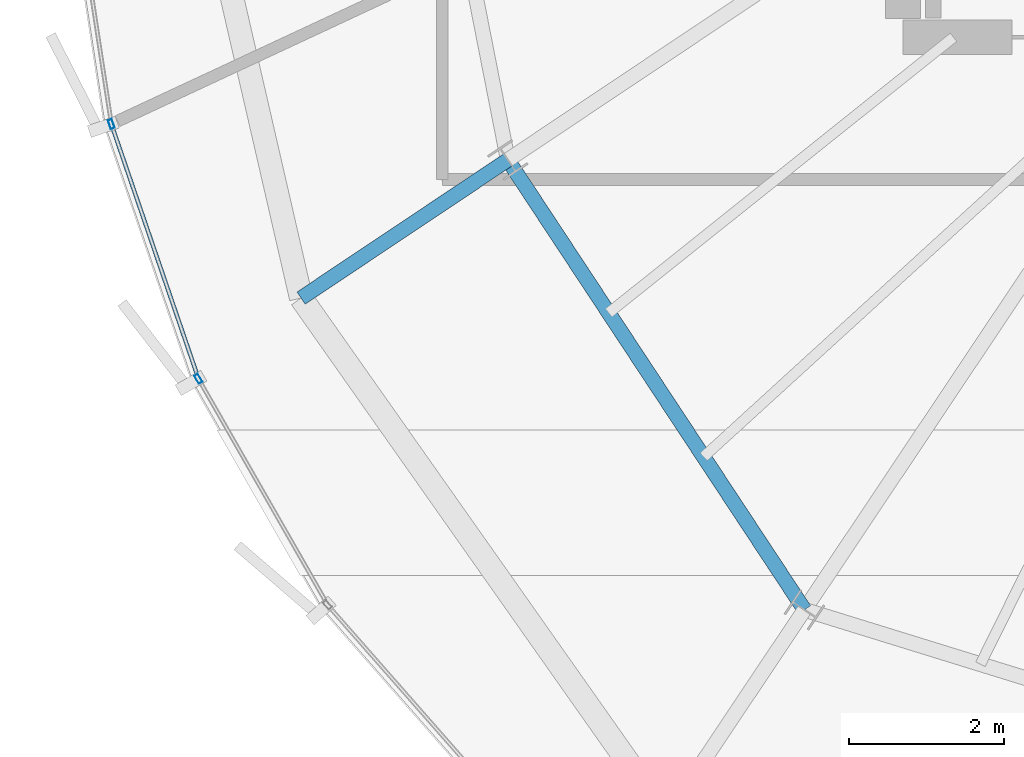
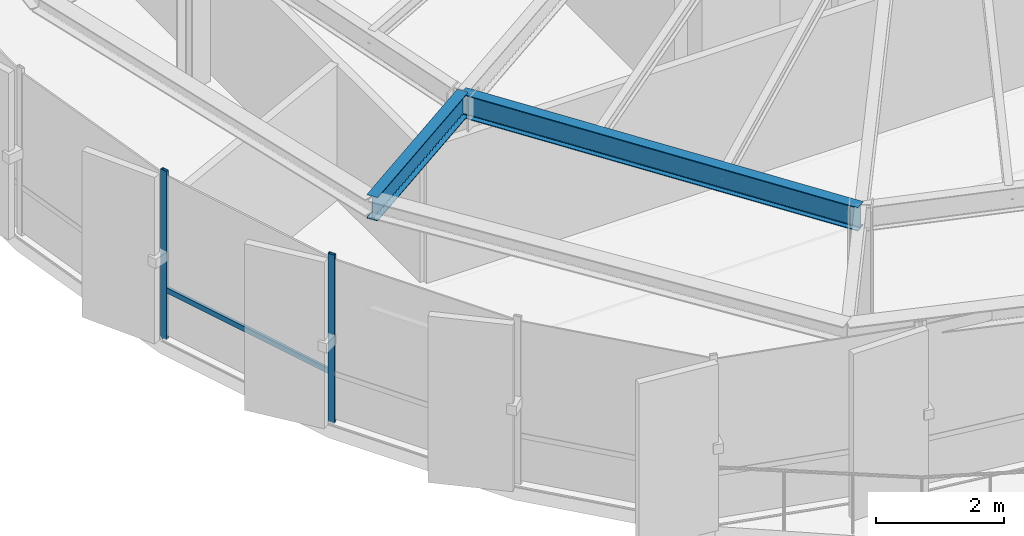
# One storey, part 4 of 32: 3 members, 2 beams, 1 element without a shape of its own.
"""IFC4 building model written with IfcOpenShell, lengths in metres."""

from ifc_helpers import new_model, si_unit, direction, frame, origin, origin_2d, place, context, subcontext, project, spatial, hollow_rectangle, i_section, extrude, source, transform, mapped, material, layer, layer_set, material_profile, profile_set, type_object, element, aggregate, save


model = new_model("IFC4")

# Units and contexts
model_context = context("Model", 3, precision=1e-05, world=origin(), true_north=direction((0.0, 1.0)))
body_context = subcontext(model_context, "Body", "Model", "MODEL_VIEW")
ifc_project = project(units=[si_unit("LENGTHUNIT", "METRE"), si_unit("AREAUNIT", "SQUARE_METRE"), si_unit("VOLUMEUNIT", "CUBIC_METRE"), si_unit("PLANEANGLEUNIT", "RADIAN"), si_unit("MASSUNIT", "GRAM", prefix="KILO"), si_unit("THERMODYNAMICTEMPERATUREUNIT", "KELVIN")], contexts=[model_context])

# Site, building, storey
site_placement = place(None, origin())
site = spatial("IfcSite", under=ifc_project, at=site_placement, CompositionType="ELEMENT")
building_placement = place(site_placement, origin())
building = spatial("IfcBuilding", under=site, at=building_placement, Name="Kethvar Cultural Tower", CompositionType="ELEMENT")
storey_placement = place(building_placement, frame((0.0, 0.0, 273.25)))
storey = spatial("IfcBuildingStorey", under=building, at=storey_placement, Name="L72", CompositionType="ELEMENT", Elevation=273.25)

# Beams
ifc_material_1 = material(Name="Steel S355J2", Category="steel")
ifc_material_profile_1 = material_profile(ifc_material_1, i_section(OverallWidth=0.18994140625, OverallDepth=0.449951171875, WebThickness=0.009521484375, FlangeThickness=0.0146484375, FilletRadius=0.02099609375, at=origin_2d()), Name="Steel S355J2 — IPE450")
ifc_profile_set_1 = profile_set([ifc_material_profile_1], Name="Steel S355J2 — IPE450")
beam_type = type_object("IfcBeamType", Name="BM-IPE450", PredefinedType="BEAM", material=ifc_profile_set_1)
shared_shape_1 = source(origin(), body_context, "Body", "SweptSolid", [
    extrude(i_section(OverallWidth=0.18994140625, OverallDepth=0.449951171875, WebThickness=0.009521484375, FlangeThickness=0.0146484375, FilletRadius=0.02099609375, at=origin_2d()), origin(), (0.0, 0.0, 1.0), 3.199951171875),
])
beam_1_placement = place(storey_placement, frame((32.912841796875, 18.52099609375, 2.98291015625), z_axis=(-0.831462943996, -0.555580212716, 0.0), x_axis=(0.555580212716, -0.831462943996, 0.0)))
element("IfcBeam", 1, at=beam_1_placement, inside=storey, type_object=beam_type, Name="L72 Perimeter Cantilever Beam RC-10", PredefinedType="BEAM", context=body_context, shape_type="MappedRepresentation", body=[
    mapped(shared_shape_1, transform((0.0, 0.0, 0.0), scale=1.0)),
])
shared_shape_2 = source(origin(), body_context, "Body", "SweptSolid", [
    extrude(i_section(OverallWidth=0.18994140625, OverallDepth=0.449951171875, WebThickness=0.009521484375, FlangeThickness=0.0146484375, FilletRadius=0.02099609375, at=origin_2d()), origin(), (0.0, 0.0, 1.0), 6.935791015625),
])
beam_2_placement = place(storey_placement, frame((32.912841796875, 18.52099609375, 2.98291015625), z_axis=(0.550534204139, -0.834812607759, 0.0), x_axis=(0.834812607759, 0.550534204139, 0.0)))
element("IfcBeam", 2, at=beam_2_placement, inside=storey, type_object=beam_type, Name="L72 Column Ring Tie Beam CR-10", PredefinedType="BEAM", context=body_context, shape_type="MappedRepresentation", body=[
    mapped(shared_shape_2, transform((0.0, 0.0, 0.0), scale=1.0)),
])

# Curtain wall, members
ifc_material_2 = material(Name="Aluminium 6063-T6", Category="aluminium")
ifc_layer = layer(ifc_material_2, 0.179931640625, Name="Aluminium 6063-T6", Category="aluminium")
ifc_layer_set = layer_set([ifc_layer], Name="Aluminium 6063-T6 (180 mm)")
curtain_wall_type = type_object("IfcCurtainWallType", Name="CW-SYS-05-Z56", PredefinedType="NOTDEFINED", material=ifc_layer_set)
curtain_wall_placement = place(storey_placement, origin())
curtain_wall = element("IfcCurtainWall", 3, at=curtain_wall_placement, inside=storey, type_object=curtain_wall_type, Name="L72 Curtain Wall Run 03", PredefinedType="NOTDEFINED")
ifc_material_profile_2 = material_profile(ifc_material_2, hollow_rectangle(XDim=0.054931640625, YDim=0.1201171875, WallThickness=0.00390625, at=origin_2d()), Name="Aluminium 6063-T6 — RHS120x55x4")
ifc_profile_set_2 = profile_set([ifc_material_profile_2], Name="Aluminium 6063-T6 — RHS120x55x4")
member_type_1 = type_object("IfcMemberType", Name="CW-SYS-05-Z56-MUL", PredefinedType="MULLION", material=ifc_profile_set_2)
shared_shape_3 = source(origin(), body_context, "Body", "SweptSolid", [
    extrude(hollow_rectangle(XDim=0.054931640625, YDim=0.1201171875, WallThickness=0.00390625, at=origin_2d()), origin(), (0.0, 0.0, 1.0), 3.2099609375),
])
member_1_placement = place(storey_placement, frame((27.809326171875, 18.982666015625, 0.0), z_axis=(0.0, 0.0, 1.0), x_axis=(0.946096665102, 0.323884393392, 0.0)))
member_1 = element("IfcMember", 4, at=member_1_placement, type_object=member_type_1, Name="CW-L72-R03 Mullion 3", PredefinedType="MULLION", context=body_context, shape_type="MappedRepresentation", body=[
    mapped(shared_shape_3, transform((0.0, 0.0, 0.0), scale=1.0)),
])
member_2_placement = place(storey_placement, frame((28.9296875, 15.70458984375, 0.0), z_axis=(0.0, 0.0, 1.0), x_axis=(0.868051545875, 0.496474081603, 0.0)))
member_2 = element("IfcMember", 5, at=member_2_placement, type_object=member_type_1, Name="CW-L72-R03 Mullion 4", PredefinedType="MULLION", context=body_context, shape_type="MappedRepresentation", body=[
    mapped(shared_shape_3, transform((0.0, 0.0, 0.0), scale=1.0)),
])
ifc_material_profile_3 = material_profile(ifc_material_2, hollow_rectangle(XDim=0.050048828125, YDim=0.10009765625, WallThickness=0.00390625, at=origin_2d()), Name="Aluminium 6063-T6 — RHS100x50x4")
ifc_profile_set_3 = profile_set([ifc_material_profile_3], Name="Aluminium 6063-T6 — RHS100x50x4")
member_type_2 = type_object("IfcMemberType", Name="CW-SYS-05-Z56-TRN", PredefinedType="USERDEFINED", material=ifc_profile_set_3)
shared_shape_4 = source(origin(), body_context, "Body", "SweptSolid", [
    extrude(hollow_rectangle(XDim=0.050048828125, YDim=0.10009765625, WallThickness=0.00390625, at=origin_2d()), origin(), (0.0, 0.0, 1.0), 3.404052734375),
])
member_3_placement = place(storey_placement, frame((27.822265625, 18.9453125, 0.949951171875), z_axis=(0.323898881134, -0.94609170528, 0.0), x_axis=(0.94609170528, 0.323898881134, 0.0)))
member_3 = element("IfcMember", 6, at=member_3_placement, type_object=member_type_2, Name="CW-L72-R03 Transom 3", ObjectType="TRANSOM", PredefinedType="USERDEFINED", context=body_context, shape_type="MappedRepresentation", body=[
    mapped(shared_shape_4, transform((0.0, 0.0, 0.0), scale=1.0)),
])
aggregate(curtain_wall, [member_1, member_2, member_3])

save(model, "model.ifc")
